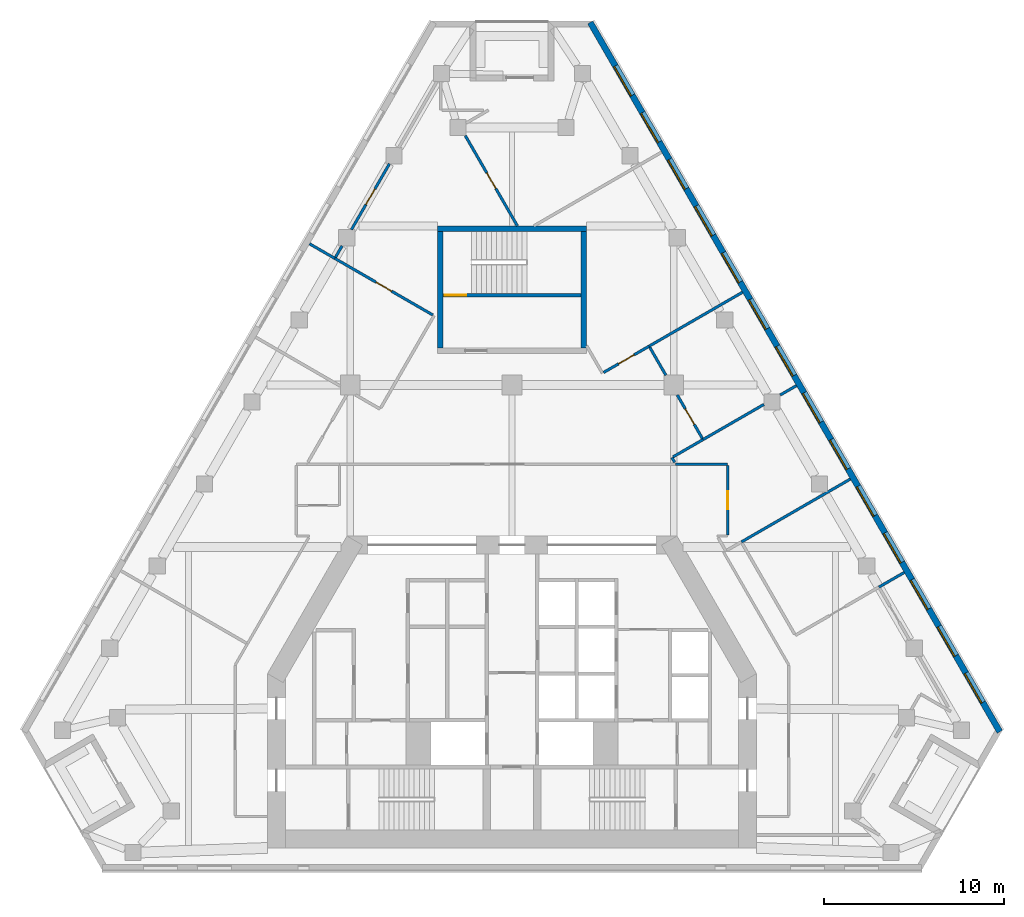
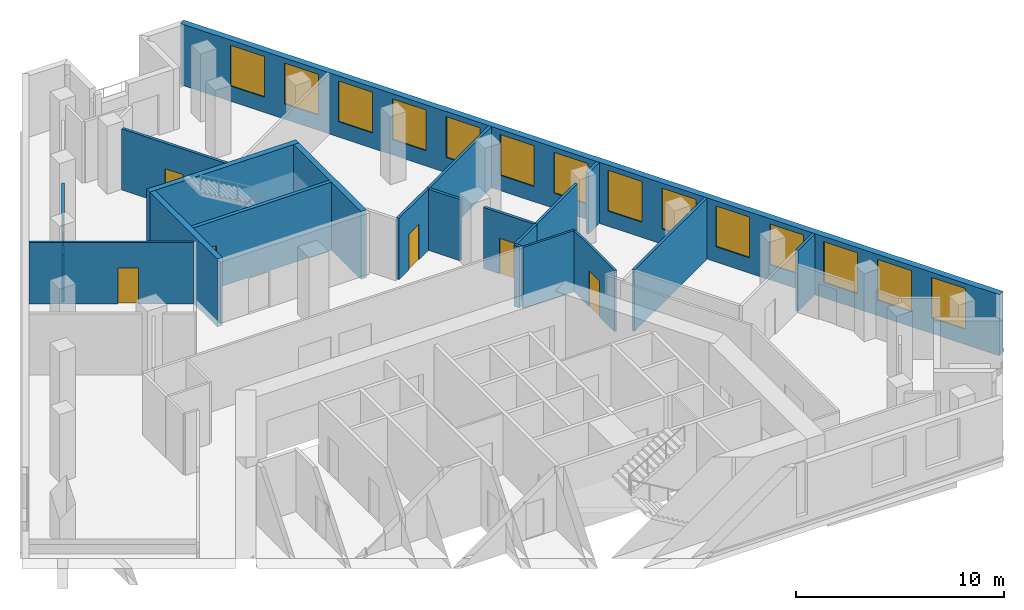
# One storey, part 7 of 9: 22 walls, 14 windows, 7 doors, 21 openings.
"""IFC4 building model written with IfcOpenShell, lengths in metres."""

from ifc_helpers import new_model, si_unit, direction, frame, frame_2d, origin, place, context, subcontext, project, spatial, rectangle, extrude, material, layer, layer_set, type_object, element, fill, save


model = new_model("IFC4")

# Units and contexts
model_context = context("Model", 3, precision=1e-05, world=origin(), true_north=direction((0.0, 1.0)))
body_context = subcontext(model_context, "Body", "Model", "MODEL_VIEW")
ifc_project = project(units=[si_unit("LENGTHUNIT", "METRE"), si_unit("AREAUNIT", "SQUARE_METRE"), si_unit("VOLUMEUNIT", "CUBIC_METRE"), si_unit("PLANEANGLEUNIT", "RADIAN"), si_unit("MASSUNIT", "GRAM", prefix="KILO")], contexts=[model_context])

# Site, building, storey
site_placement = place(None, origin())
site = spatial("IfcSite", under=ifc_project, at=site_placement, CompositionType="ELEMENT")
building_placement = place(site_placement, origin())
building = spatial("IfcBuilding", under=site, at=building_placement, Name="Fogline Exchange Tower", CompositionType="ELEMENT")
storey_placement = place(building_placement, frame((0.0, 0.0, 214.10009765625)))
storey = spatial("IfcBuildingStorey", under=building, at=storey_placement, Name="L48", CompositionType="ELEMENT", Elevation=214.10009765625)

# Wall, opening, door
ifc_material_1 = material(Name="Concrete C40", Category="concrete")
ifc_layer_1 = layer(ifc_material_1, 0.199951171875)
ifc_layer_set_1 = layer_set([ifc_layer_1], Name="CW20R")
wall_type_1 = type_object("IfcWallType", Name="CW20R", PredefinedType="SOLIDWALL", material=ifc_layer_set_1)
wall_1_placement = place(storey_placement, frame((-3.85009765625, 32.007080078125, -0.400146484375), z_axis=(0.0, 0.0, 1.0), x_axis=(1.0, 0.0, 0.0)))
wall_1 = element("IfcWall", 1, at=wall_1_placement, inside=storey, type_object=wall_type_1, Name="Stair enclosure wall ST3", PredefinedType="SOLIDWALL", context=body_context, shape_type="SweptSolid", body=[
    extrude(rectangle(XDim=7.7001953125, YDim=0.199951171875, at=frame_2d((3.85009765625, 0.0))), origin(), (0.0, 0.0, 1.0), 4.0),
])
opening_1_placement = place(wall_1_placement, frame((0.10009765625, 0.0, 0.39990234375)))
opening_1 = element("IfcOpeningElement", 2, at=opening_1_placement, cuts=wall_1, Name="Opening T15-C024", PredefinedType="OPENING", context=body_context, shape_type="SweptSolid", body=[
    extrude(rectangle(XDim=1.199951171875, YDim=2.10009765625, at=frame_2d((0.60009765625, 1.050048828125))), frame((0.0, 0.10986328125, 0.0), z_axis=(0.0, -1.0, 0.0), x_axis=(1.0, 0.0, 0.0)), (0.0, 0.0, 1.0), 0.219970703125),
])
ifc_material_2 = material(Name="Steel and timber fire door", Category="steel")
door_type_1 = type_object("IfcDoorType", Name="D-ST1", OperationType="SINGLE_SWING_LEFT", PredefinedType="DOOR", material=ifc_material_2)
door_1_placement = place(opening_1_placement, origin())
door_1 = element("IfcDoor", 3, at=door_1_placement, inside=storey, type_object=door_type_1, Name="Stair door ST3", OperationType="SINGLE_SWING_LEFT", OverallHeight=2.10009765625, OverallWidth=1.199951171875, PredefinedType="DOOR", context=body_context, shape_type="SweptSolid", body=[
    extrude(rectangle(XDim=1.199951171875, YDim=2.10009765625, at=frame_2d((0.60009765625, 1.050048828125))), frame((0.0, 0.02490234375, 0.0), z_axis=(0.0, -1.0, 0.0), x_axis=(1.0, 0.0, 0.0)), (0.0, 0.0, 1.0), 0.050048828125),
])
fill(opening_1, door_1)

# Walls
ifc_layer_2 = layer(ifc_material_1, 0.300048828125)
ifc_layer_set_2 = layer_set([ifc_layer_2], Name="CW30")
wall_type_2 = type_object("IfcWallType", Name="CW30", PredefinedType="SOLIDWALL", material=ifc_layer_set_2)
wall_2_placement = place(storey_placement, frame((-4.14990234375, 35.70703125, -0.400146484375), z_axis=(0.0, 0.0, 1.0), x_axis=(1.0, 0.0, 0.0)))
element("IfcWall", 4, at=wall_2_placement, inside=storey, type_object=wall_type_2, Name="Stair enclosure wall ST3", PredefinedType="SOLIDWALL", context=body_context, shape_type="SweptSolid", body=[
    extrude(rectangle(XDim=8.2998046875, YDim=0.300048828125, at=frame_2d((4.14990234375, 0.0))), origin(), (0.0, 0.0, 1.0), 4.0),
])
for number, where, z_axis, x_axis, name in (
    (5, (-4.0, 29.056884765625, -0.400146484375), (0.0, 0.0, 1.0), (0.0, 1.0, 0.0), "Stair enclosure wall ST3"),
    (6, (4.0, 29.056884765625, -0.400146484375), (0.0, 0.0, 1.0), (0.0, 1.0, 0.0), "Stair enclosure wall ST3"),
):
    element("IfcWall", number, at=place(storey_placement, frame(where, z_axis=z_axis, x_axis=x_axis)), inside=storey, type_object=wall_type_2, Name=name, PredefinedType="SOLIDWALL", context=body_context, shape_type="SweptSolid", body=[
        extrude(rectangle(XDim=6.5, YDim=0.300048828125, at=frame_2d((3.25, 0.0))), origin(), (0.0, 0.0, 1.0), 4.0),
    ])

# Wall, openings, windows
ifc_material_3 = material(Name="Brick masonry", Category="masonry")
ifc_layer_3 = layer(ifc_material_3, 0.340087890625)
ifc_layer_set_3 = layer_set([ifc_layer_3], Name="FW1")
wall_type_3 = type_object("IfcWallType", Name="FW1", PredefinedType="SOLIDWALL", material=ifc_layer_set_3)
wall_3_placement = place(storey_placement, frame((27.139404296875, 7.709228515625, 0.0), z_axis=(0.0, 0.0, 1.0), x_axis=(-0.500000533701, 0.866025095652, 0.0)))
wall_3 = element("IfcWall", 7, at=wall_3_placement, inside=storey, type_object=wall_type_3, Name="Brick wall L48 E", PredefinedType="SOLIDWALL", context=body_context, shape_type="SweptSolid", body=[
    extrude(rectangle(XDim=45.5732421875, YDim=0.340087890625, at=frame_2d((22.78662109375, 0.0))), origin(), (0.0, 0.0, 1.0), 3.599853515625),
])
opening_2_placement = place(wall_3_placement, frame((1.893310546875, 0.0, 0.89990234375)))
opening_2 = element("IfcOpeningElement", 8, at=opening_2_placement, cuts=wall_3, Name="Opening W1", PredefinedType="OPENING", context=body_context, shape_type="SweptSolid", body=[
    extrude(rectangle(XDim=1.885009765625, YDim=2.39990234375, at=frame_2d((0.9423828125, 1.199951171875))), frame((0.0, 0.18017578125, 0.0), z_axis=(0.0, -1.0, 0.0), x_axis=(1.0, 0.0, 0.0)), (0.0, 0.0, 1.0), 0.360107421875),
])
opening_3_placement = place(wall_3_placement, frame((4.893310546875, 0.0, 0.89990234375)))
opening_3 = element("IfcOpeningElement", 9, at=opening_3_placement, cuts=wall_3, Name="Opening W1", PredefinedType="OPENING", context=body_context, shape_type="SweptSolid", body=[
    extrude(rectangle(XDim=1.885009765625, YDim=2.39990234375, at=frame_2d((0.9423828125, 1.199951171875))), frame((0.0, 0.18017578125, 0.0), z_axis=(0.0, -1.0, 0.0), x_axis=(1.0, 0.0, 0.0)), (0.0, 0.0, 1.0), 0.360107421875),
])
opening_4_placement = place(wall_3_placement, frame((7.893310546875, 0.0, 0.89990234375)))
opening_4 = element("IfcOpeningElement", 10, at=opening_4_placement, cuts=wall_3, Name="Opening W1", PredefinedType="OPENING", context=body_context, shape_type="SweptSolid", body=[
    extrude(rectangle(XDim=1.885009765625, YDim=2.39990234375, at=frame_2d((0.9423828125, 1.199951171875))), frame((0.0, 0.18017578125, 0.0), z_axis=(0.0, -1.0, 0.0), x_axis=(1.0, 0.0, 0.0)), (0.0, 0.0, 1.0), 0.360107421875),
])
opening_5_placement = place(wall_3_placement, frame((10.893310546875, 0.0, 0.89990234375)))
opening_5 = element("IfcOpeningElement", 11, at=opening_5_placement, cuts=wall_3, Name="Opening W1", PredefinedType="OPENING", context=body_context, shape_type="SweptSolid", body=[
    extrude(rectangle(XDim=1.885009765625, YDim=2.39990234375, at=frame_2d((0.9423828125, 1.199951171875))), frame((0.0, 0.18017578125, 0.0), z_axis=(0.0, -1.0, 0.0), x_axis=(1.0, 0.0, 0.0)), (0.0, 0.0, 1.0), 0.360107421875),
])
opening_6_placement = place(wall_3_placement, frame((13.893310546875, 0.0, 0.89990234375)))
opening_6 = element("IfcOpeningElement", 12, at=opening_6_placement, cuts=wall_3, Name="Opening W1", PredefinedType="OPENING", context=body_context, shape_type="SweptSolid", body=[
    extrude(rectangle(XDim=1.885009765625, YDim=2.39990234375, at=frame_2d((0.9423828125, 1.199951171875))), frame((0.0, 0.18017578125, 0.0), z_axis=(0.0, -1.0, 0.0), x_axis=(1.0, 0.0, 0.0)), (0.0, 0.0, 1.0), 0.360107421875),
])
opening_7_placement = place(wall_3_placement, frame((16.893310546875, 0.0, 0.89990234375)))
opening_7 = element("IfcOpeningElement", 13, at=opening_7_placement, cuts=wall_3, Name="Opening W1", PredefinedType="OPENING", context=body_context, shape_type="SweptSolid", body=[
    extrude(rectangle(XDim=1.885009765625, YDim=2.39990234375, at=frame_2d((0.9423828125, 1.199951171875))), frame((0.0, 0.18017578125, 0.0), z_axis=(0.0, -1.0, 0.0), x_axis=(1.0, 0.0, 0.0)), (0.0, 0.0, 1.0), 0.360107421875),
])
opening_8_placement = place(wall_3_placement, frame((19.893310546875, 0.0, 0.89990234375)))
opening_8 = element("IfcOpeningElement", 14, at=opening_8_placement, cuts=wall_3, Name="Opening W1", PredefinedType="OPENING", context=body_context, shape_type="SweptSolid", body=[
    extrude(rectangle(XDim=1.885009765625, YDim=2.39990234375, at=frame_2d((0.9423828125, 1.199951171875))), frame((0.0, 0.18017578125, 0.0), z_axis=(0.0, -1.0, 0.0), x_axis=(1.0, 0.0, 0.0)), (0.0, 0.0, 1.0), 0.360107421875),
])
opening_9_placement = place(wall_3_placement, frame((22.893310546875, 0.0, 0.89990234375)))
opening_9 = element("IfcOpeningElement", 15, at=opening_9_placement, cuts=wall_3, Name="Opening W1", PredefinedType="OPENING", context=body_context, shape_type="SweptSolid", body=[
    extrude(rectangle(XDim=1.885009765625, YDim=2.39990234375, at=frame_2d((0.9423828125, 1.199951171875))), frame((0.0, 0.18017578125, 0.0), z_axis=(0.0, -1.0, 0.0), x_axis=(1.0, 0.0, 0.0)), (0.0, 0.0, 1.0), 0.360107421875),
])
opening_10_placement = place(wall_3_placement, frame((25.893310546875, 0.0, 0.89990234375)))
opening_10 = element("IfcOpeningElement", 16, at=opening_10_placement, cuts=wall_3, Name="Opening W1", PredefinedType="OPENING", context=body_context, shape_type="SweptSolid", body=[
    extrude(rectangle(XDim=1.885009765625, YDim=2.39990234375, at=frame_2d((0.9423828125, 1.199951171875))), frame((0.0, 0.18017578125, 0.0), z_axis=(0.0, -1.0, 0.0), x_axis=(1.0, 0.0, 0.0)), (0.0, 0.0, 1.0), 0.360107421875),
])
opening_11_placement = place(wall_3_placement, frame((28.893310546875, 0.0, 0.89990234375)))
opening_11 = element("IfcOpeningElement", 17, at=opening_11_placement, cuts=wall_3, Name="Opening W1", PredefinedType="OPENING", context=body_context, shape_type="SweptSolid", body=[
    extrude(rectangle(XDim=1.885009765625, YDim=2.39990234375, at=frame_2d((0.9423828125, 1.199951171875))), frame((0.0, 0.18017578125, 0.0), z_axis=(0.0, -1.0, 0.0), x_axis=(1.0, 0.0, 0.0)), (0.0, 0.0, 1.0), 0.360107421875),
])
opening_12_placement = place(wall_3_placement, frame((31.893310546875, 0.0, 0.89990234375)))
opening_12 = element("IfcOpeningElement", 18, at=opening_12_placement, cuts=wall_3, Name="Opening W1", PredefinedType="OPENING", context=body_context, shape_type="SweptSolid", body=[
    extrude(rectangle(XDim=1.885009765625, YDim=2.39990234375, at=frame_2d((0.9423828125, 1.199951171875))), frame((0.0, 0.18017578125, 0.0), z_axis=(0.0, -1.0, 0.0), x_axis=(1.0, 0.0, 0.0)), (0.0, 0.0, 1.0), 0.360107421875),
])
opening_13_placement = place(wall_3_placement, frame((34.893310546875, 0.0, 0.89990234375)))
opening_13 = element("IfcOpeningElement", 19, at=opening_13_placement, cuts=wall_3, Name="Opening W1", PredefinedType="OPENING", context=body_context, shape_type="SweptSolid", body=[
    extrude(rectangle(XDim=1.885009765625, YDim=2.39990234375, at=frame_2d((0.9423828125, 1.199951171875))), frame((0.0, 0.18017578125, 0.0), z_axis=(0.0, -1.0, 0.0), x_axis=(1.0, 0.0, 0.0)), (0.0, 0.0, 1.0), 0.360107421875),
])
opening_14_placement = place(wall_3_placement, frame((37.893310546875, 0.0, 0.89990234375)))
opening_14 = element("IfcOpeningElement", 20, at=opening_14_placement, cuts=wall_3, Name="Opening W1", PredefinedType="OPENING", context=body_context, shape_type="SweptSolid", body=[
    extrude(rectangle(XDim=1.885009765625, YDim=2.39990234375, at=frame_2d((0.9423828125, 1.199951171875))), frame((0.0, 0.18017578125, 0.0), z_axis=(0.0, -1.0, 0.0), x_axis=(1.0, 0.0, 0.0)), (0.0, 0.0, 1.0), 0.360107421875),
])
opening_15_placement = place(wall_3_placement, frame((40.893310546875, 0.0, 0.89990234375)))
opening_15 = element("IfcOpeningElement", 21, at=opening_15_placement, cuts=wall_3, Name="Opening W1", PredefinedType="OPENING", context=body_context, shape_type="SweptSolid", body=[
    extrude(rectangle(XDim=1.885009765625, YDim=2.39990234375, at=frame_2d((0.9423828125, 1.199951171875))), frame((0.0, 0.18017578125, 0.0), z_axis=(0.0, -1.0, 0.0), x_axis=(1.0, 0.0, 0.0)), (0.0, 0.0, 1.0), 0.360107421875),
])
ifc_material_4 = material(Name="Aluminium and glass", Category="aluminium")
window_type = type_object("IfcWindowType", Name="W1", PartitioningType="SINGLE_PANEL", PredefinedType="WINDOW", material=ifc_material_4)
window_1_placement = place(opening_2_placement, origin())
window_1 = element("IfcWindow", 22, at=window_1_placement, inside=storey, type_object=window_type, Name="W1 W1", OverallHeight=2.39990234375, OverallWidth=1.885009765625, PartitioningType="SINGLE_PANEL", PredefinedType="WINDOW", context=body_context, shape_type="SweptSolid", body=[
    extrude(rectangle(XDim=1.885009765625, YDim=2.39990234375, at=frame_2d((0.9423828125, 1.199951171875))), frame((0.0, 0.110107421875, 0.0), z_axis=(0.0, -1.0, 0.0), x_axis=(1.0, 0.0, 0.0)), (0.0, 0.0, 1.0), 0.06005859375),
])
fill(opening_2, window_1)
window_2_placement = place(opening_3_placement, origin())
window_2 = element("IfcWindow", 23, at=window_2_placement, inside=storey, type_object=window_type, Name="W1 W1", OverallHeight=2.39990234375, OverallWidth=1.885009765625, PartitioningType="SINGLE_PANEL", PredefinedType="WINDOW", context=body_context, shape_type="SweptSolid", body=[
    extrude(rectangle(XDim=1.885009765625, YDim=2.39990234375, at=frame_2d((0.9423828125, 1.199951171875))), frame((0.0, 0.110107421875, 0.0), z_axis=(0.0, -1.0, 0.0), x_axis=(1.0, 0.0, 0.0)), (0.0, 0.0, 1.0), 0.06005859375),
])
fill(opening_3, window_2)
window_3_placement = place(opening_4_placement, origin())
window_3 = element("IfcWindow", 24, at=window_3_placement, inside=storey, type_object=window_type, Name="W1 W1", OverallHeight=2.39990234375, OverallWidth=1.885009765625, PartitioningType="SINGLE_PANEL", PredefinedType="WINDOW", context=body_context, shape_type="SweptSolid", body=[
    extrude(rectangle(XDim=1.885009765625, YDim=2.39990234375, at=frame_2d((0.9423828125, 1.199951171875))), frame((0.0, 0.110107421875, 0.0), z_axis=(0.0, -1.0, 0.0), x_axis=(1.0, 0.0, 0.0)), (0.0, 0.0, 1.0), 0.06005859375),
])
fill(opening_4, window_3)
window_4_placement = place(opening_5_placement, origin())
window_4 = element("IfcWindow", 25, at=window_4_placement, inside=storey, type_object=window_type, Name="W1 W1", OverallHeight=2.39990234375, OverallWidth=1.885009765625, PartitioningType="SINGLE_PANEL", PredefinedType="WINDOW", context=body_context, shape_type="SweptSolid", body=[
    extrude(rectangle(XDim=1.885009765625, YDim=2.39990234375, at=frame_2d((0.9423828125, 1.199951171875))), frame((0.0, 0.110107421875, 0.0), z_axis=(0.0, -1.0, 0.0), x_axis=(1.0, 0.0, 0.0)), (0.0, 0.0, 1.0), 0.06005859375),
])
fill(opening_5, window_4)
window_5_placement = place(opening_6_placement, origin())
window_5 = element("IfcWindow", 26, at=window_5_placement, inside=storey, type_object=window_type, Name="W1 W1", OverallHeight=2.39990234375, OverallWidth=1.885009765625, PartitioningType="SINGLE_PANEL", PredefinedType="WINDOW", context=body_context, shape_type="SweptSolid", body=[
    extrude(rectangle(XDim=1.885009765625, YDim=2.39990234375, at=frame_2d((0.9423828125, 1.199951171875))), frame((0.0, 0.110107421875, 0.0), z_axis=(0.0, -1.0, 0.0), x_axis=(1.0, 0.0, 0.0)), (0.0, 0.0, 1.0), 0.06005859375),
])
fill(opening_6, window_5)
window_6_placement = place(opening_7_placement, origin())
window_6 = element("IfcWindow", 27, at=window_6_placement, inside=storey, type_object=window_type, Name="W1 W1", OverallHeight=2.39990234375, OverallWidth=1.885009765625, PartitioningType="SINGLE_PANEL", PredefinedType="WINDOW", context=body_context, shape_type="SweptSolid", body=[
    extrude(rectangle(XDim=1.885009765625, YDim=2.39990234375, at=frame_2d((0.9423828125, 1.199951171875))), frame((0.0, 0.110107421875, 0.0), z_axis=(0.0, -1.0, 0.0), x_axis=(1.0, 0.0, 0.0)), (0.0, 0.0, 1.0), 0.06005859375),
])
fill(opening_7, window_6)
window_7_placement = place(opening_8_placement, origin())
window_7 = element("IfcWindow", 28, at=window_7_placement, inside=storey, type_object=window_type, Name="W1 W1", OverallHeight=2.39990234375, OverallWidth=1.885009765625, PartitioningType="SINGLE_PANEL", PredefinedType="WINDOW", context=body_context, shape_type="SweptSolid", body=[
    extrude(rectangle(XDim=1.885009765625, YDim=2.39990234375, at=frame_2d((0.9423828125, 1.199951171875))), frame((0.0, 0.110107421875, 0.0), z_axis=(0.0, -1.0, 0.0), x_axis=(1.0, 0.0, 0.0)), (0.0, 0.0, 1.0), 0.06005859375),
])
fill(opening_8, window_7)
window_8_placement = place(opening_9_placement, origin())
window_8 = element("IfcWindow", 29, at=window_8_placement, inside=storey, type_object=window_type, Name="W1 W1", OverallHeight=2.39990234375, OverallWidth=1.885009765625, PartitioningType="SINGLE_PANEL", PredefinedType="WINDOW", context=body_context, shape_type="SweptSolid", body=[
    extrude(rectangle(XDim=1.885009765625, YDim=2.39990234375, at=frame_2d((0.9423828125, 1.199951171875))), frame((0.0, 0.110107421875, 0.0), z_axis=(0.0, -1.0, 0.0), x_axis=(1.0, 0.0, 0.0)), (0.0, 0.0, 1.0), 0.06005859375),
])
fill(opening_9, window_8)
window_9_placement = place(opening_10_placement, origin())
window_9 = element("IfcWindow", 30, at=window_9_placement, inside=storey, type_object=window_type, Name="W1 W1", OverallHeight=2.39990234375, OverallWidth=1.885009765625, PartitioningType="SINGLE_PANEL", PredefinedType="WINDOW", context=body_context, shape_type="SweptSolid", body=[
    extrude(rectangle(XDim=1.885009765625, YDim=2.39990234375, at=frame_2d((0.9423828125, 1.199951171875))), frame((0.0, 0.110107421875, 0.0), z_axis=(0.0, -1.0, 0.0), x_axis=(1.0, 0.0, 0.0)), (0.0, 0.0, 1.0), 0.06005859375),
])
fill(opening_10, window_9)
window_10_placement = place(opening_11_placement, origin())
window_10 = element("IfcWindow", 31, at=window_10_placement, inside=storey, type_object=window_type, Name="W1 W1", OverallHeight=2.39990234375, OverallWidth=1.885009765625, PartitioningType="SINGLE_PANEL", PredefinedType="WINDOW", context=body_context, shape_type="SweptSolid", body=[
    extrude(rectangle(XDim=1.885009765625, YDim=2.39990234375, at=frame_2d((0.9423828125, 1.199951171875))), frame((0.0, 0.110107421875, 0.0), z_axis=(0.0, -1.0, 0.0), x_axis=(1.0, 0.0, 0.0)), (0.0, 0.0, 1.0), 0.06005859375),
])
fill(opening_11, window_10)
window_11_placement = place(opening_12_placement, origin())
window_11 = element("IfcWindow", 32, at=window_11_placement, inside=storey, type_object=window_type, Name="W1 W1", OverallHeight=2.39990234375, OverallWidth=1.885009765625, PartitioningType="SINGLE_PANEL", PredefinedType="WINDOW", context=body_context, shape_type="SweptSolid", body=[
    extrude(rectangle(XDim=1.885009765625, YDim=2.39990234375, at=frame_2d((0.9423828125, 1.199951171875))), frame((0.0, 0.110107421875, 0.0), z_axis=(0.0, -1.0, 0.0), x_axis=(1.0, 0.0, 0.0)), (0.0, 0.0, 1.0), 0.06005859375),
])
fill(opening_12, window_11)
window_12_placement = place(opening_13_placement, origin())
window_12 = element("IfcWindow", 33, at=window_12_placement, inside=storey, type_object=window_type, Name="W1 W1", OverallHeight=2.39990234375, OverallWidth=1.885009765625, PartitioningType="SINGLE_PANEL", PredefinedType="WINDOW", context=body_context, shape_type="SweptSolid", body=[
    extrude(rectangle(XDim=1.885009765625, YDim=2.39990234375, at=frame_2d((0.9423828125, 1.199951171875))), frame((0.0, 0.110107421875, 0.0), z_axis=(0.0, -1.0, 0.0), x_axis=(1.0, 0.0, 0.0)), (0.0, 0.0, 1.0), 0.06005859375),
])
fill(opening_13, window_12)
window_13_placement = place(opening_14_placement, origin())
window_13 = element("IfcWindow", 34, at=window_13_placement, inside=storey, type_object=window_type, Name="W1 W1", OverallHeight=2.39990234375, OverallWidth=1.885009765625, PartitioningType="SINGLE_PANEL", PredefinedType="WINDOW", context=body_context, shape_type="SweptSolid", body=[
    extrude(rectangle(XDim=1.885009765625, YDim=2.39990234375, at=frame_2d((0.9423828125, 1.199951171875))), frame((0.0, 0.110107421875, 0.0), z_axis=(0.0, -1.0, 0.0), x_axis=(1.0, 0.0, 0.0)), (0.0, 0.0, 1.0), 0.06005859375),
])
fill(opening_14, window_13)
window_14_placement = place(opening_15_placement, origin())
window_14 = element("IfcWindow", 35, at=window_14_placement, inside=storey, type_object=window_type, Name="W1 W1", OverallHeight=2.39990234375, OverallWidth=1.885009765625, PartitioningType="SINGLE_PANEL", PredefinedType="WINDOW", context=body_context, shape_type="SweptSolid", body=[
    extrude(rectangle(XDim=1.885009765625, YDim=2.39990234375, at=frame_2d((0.9423828125, 1.199951171875))), frame((0.0, 0.110107421875, 0.0), z_axis=(0.0, -1.0, 0.0), x_axis=(1.0, 0.0, 0.0)), (0.0, 0.0, 1.0), 0.06005859375),
])
fill(opening_15, window_14)

# Wall
ifc_material_5 = material(Name="Plasterboard corridor partition with mineral wool, 2 layers each side")
ifc_layer_4 = layer(ifc_material_5, 0.125)
ifc_layer_set_4 = layer_set([ifc_layer_4], Name="PW2")
wall_type_4 = type_object("IfcWallType", Name="PW2", PredefinedType="PARTITIONING", material=ifc_layer_set_4)
wall_4_placement = place(storey_placement, frame((9.108154296875, 22.60009765625, 0.0), z_axis=(0.0, 0.0, 1.0), x_axis=(1.0, 0.0, 0.0)))
element("IfcWall", 36, at=wall_4_placement, inside=storey, type_object=wall_type_4, Name="wall-L48-W004", PredefinedType="PARTITIONING", context=body_context, shape_type="SweptSolid", body=[
    extrude(rectangle(XDim=2.891845703125, YDim=0.125, at=frame_2d((1.44580078125, 0.0))), origin(), (0.0, 0.0, 1.0), 3.599853515625),
])

# Wall, opening, door
wall_5_placement = place(storey_placement, frame((12.0, 22.53759765625, 0.0), z_axis=(0.0, 0.0, 1.0), x_axis=(0.0, -1.0, 0.0)))
wall_5 = element("IfcWall", 37, at=wall_5_placement, inside=storey, type_object=wall_type_4, Name="wall-L48-W005", PredefinedType="PARTITIONING", context=body_context, shape_type="SweptSolid", body=[
    extrude(rectangle(XDim=3.875, YDim=0.125, at=frame_2d((1.9375, 0.0))), origin(), (0.0, 0.0, 1.0), 3.599853515625),
])
opening_16_placement = place(wall_5_placement, frame((1.4375, 0.0, 0.0)))
opening_16 = element("IfcOpeningElement", 38, at=opening_16_placement, cuts=wall_5, Name="Opening T15-D002", PredefinedType="OPENING", context=body_context, shape_type="SweptSolid", body=[
    extrude(rectangle(XDim=1.0, YDim=2.10009765625, at=frame_2d((0.5, 1.050048828125))), frame((0.0, 0.072509765625, 0.0), z_axis=(0.0, -1.0, 0.0), x_axis=(1.0, 0.0, 0.0)), (0.0, 0.0, 1.0), 0.14501953125),
])
ifc_material_6 = material(Name="Fire-rated timber door leaf with steel frame", Category="steel")
door_type_2 = type_object("IfcDoorType", Name="D3", OperationType="SINGLE_SWING_LEFT", PredefinedType="DOOR", material=ifc_material_6)
door_2_placement = place(opening_16_placement, origin())
door_2 = element("IfcDoor", 39, at=door_2_placement, inside=storey, type_object=door_type_2, Name="door-L48-D002", OperationType="SINGLE_SWING_LEFT", OverallHeight=2.10009765625, OverallWidth=1.0, PredefinedType="DOOR", context=body_context, shape_type="SweptSolid", body=[
    extrude(rectangle(XDim=1.0, YDim=2.10009765625, at=frame_2d((0.5, 1.050048828125))), frame((0.0, 0.02490234375, 0.0), z_axis=(0.0, -1.0, 0.0), x_axis=(1.0, 0.0, 0.0)), (0.0, 0.0, 1.0), 0.050048828125),
])
fill(opening_16, door_2)

# Walls
ifc_material_7 = material(Name="Plasterboard demising partition with mineral wool and acoustic board")
ifc_layer_5 = layer(ifc_material_7, 0.14990234375)
ifc_layer_set_5 = layer_set([ifc_layer_5], Name="PW3")
wall_type_5 = type_object("IfcWallType", Name="PW3", PredefinedType="PARTITIONING", material=ifc_layer_set_5)
wall_6_placement = place(storey_placement, frame((10.6279296875, 23.967529296875, 0.0), z_axis=(0.0, 0.0, 1.0), x_axis=(0.866020486807, 0.500008516358, 0.0)))
element("IfcWall", 40, at=wall_6_placement, inside=storey, type_object=wall_type_5, Name="wall-L48-W016", PredefinedType="PARTITIONING", context=body_context, shape_type="SweptSolid", body=[
    extrude(rectangle(XDim=3.91552734375, YDim=0.14990234375, at=frame_2d((1.957763671875, 0.0))), origin(), (0.0, 0.0, 1.0), 3.599853515625),
])
wall_7_placement = place(storey_placement, frame((14.918701171875, 26.44482421875, 0.0), z_axis=(0.0, 0.0, 1.0), x_axis=(0.866065051207, 0.49993132236, 0.0)))
element("IfcWall", 41, at=wall_7_placement, inside=storey, type_object=wall_type_5, Name="wall-L48-W017", PredefinedType="PARTITIONING", context=body_context, shape_type="SweptSolid", body=[
    extrude(rectangle(XDim=1.045654296875, YDim=0.14990234375, at=frame_2d((0.52294921875, 0.0))), origin(), (0.0, 0.0, 1.0), 3.599853515625),
])
wall_8_placement = place(storey_placement, frame((9.05029296875, 22.700439453125, 0.0), z_axis=(0.0, 0.0, 1.0), x_axis=(-0.500224850148, 0.865895547566, 0.0)))
element("IfcWall", 42, at=wall_8_placement, inside=storey, type_object=wall_type_5, Name="wall-L48-W018", PredefinedType="PARTITIONING", context=body_context, shape_type="SweptSolid", body=[
    extrude(rectangle(XDim=0.308349609375, YDim=0.14990234375, at=frame_2d((0.154296875, 0.0))), origin(), (0.0, 0.0, 1.0), 3.599853515625),
])
wall_9_placement = place(storey_placement, frame((8.9609375, 23.005126953125, 0.0), z_axis=(0.0, 0.0, 1.0), x_axis=(0.866033512162, 0.499985955615, 0.0)))
element("IfcWall", 43, at=wall_9_placement, inside=storey, type_object=wall_type_5, Name="wall-L48-W019", PredefinedType="PARTITIONING", context=body_context, shape_type="SweptSolid", body=[
    extrude(rectangle(XDim=1.9248046875, YDim=0.14990234375, at=frame_2d((0.96240234375, 0.0))), origin(), (0.0, 0.0, 1.0), 3.599853515625),
])
wall_10_placement = place(storey_placement, frame((18.82421875, 21.771484375, 0.0), z_axis=(0.0, 0.0, 1.0), x_axis=(-0.866028190633, -0.499995173006, 0.0)))
element("IfcWall", 44, at=wall_10_placement, inside=storey, type_object=wall_type_5, Name="wall-L48-W022", PredefinedType="PARTITIONING", context=body_context, shape_type="SweptSolid", body=[
    extrude(rectangle(XDim=7.0, YDim=0.14990234375, at=frame_2d((3.5, 0.0))), origin(), (0.0, 0.0, 1.0), 3.599853515625),
])
wall_11_placement = place(storey_placement, frame((7.6279296875, 29.163818359375, 0.0), z_axis=(0.0, 0.0, 1.0), x_axis=(0.866031096941, 0.499990139034, 0.0)))
element("IfcWall", 45, at=wall_11_placement, inside=storey, type_object=wall_type_5, Name="wall-L48-W023", PredefinedType="PARTITIONING", context=body_context, shape_type="SweptSolid", body=[
    extrude(rectangle(XDim=6.0, YDim=0.14990234375, at=frame_2d((3.0, 0.0))), origin(), (0.0, 0.0, 1.0), 3.599853515625),
])

# Wall, opening, door
wall_12_placement = place(storey_placement, frame((10.590576171875, 24.03271484375, 0.0), z_axis=(0.0, 0.0, 1.0), x_axis=(-0.500042966044, 0.866000595906, 0.0)))
wall_12 = element("IfcWall", 46, at=wall_12_placement, inside=storey, type_object=wall_type_5, Name="wall-L48-W024", PredefinedType="PARTITIONING", context=body_context, shape_type="SweptSolid", body=[
    extrude(rectangle(XDim=2.791259765625, YDim=0.14990234375, at=frame_2d((1.3955078125, 0.0))), origin(), (0.0, 0.0, 1.0), 3.599853515625),
])
opening_17_placement = place(wall_12_placement, frame((0.895751953125, 0.0, 0.0)))
opening_17 = element("IfcOpeningElement", 47, at=opening_17_placement, cuts=wall_12, Name="Opening T15-D007", PredefinedType="OPENING", context=body_context, shape_type="SweptSolid", body=[
    extrude(rectangle(XDim=1.0, YDim=2.10009765625, at=frame_2d((0.5, 1.050048828125))), frame((0.0, 0.0849609375, 0.0), z_axis=(0.0, -1.0, 0.0), x_axis=(1.0, 0.0, 0.0)), (0.0, 0.0, 1.0), 0.169921875),
])
door_3_placement = place(opening_17_placement, frame((1.0, 0.0, 0.0), z_axis=(0.0, 0.0, 1.0), x_axis=(-1.0, 0.0, 0.0)))
door_3 = element("IfcDoor", 48, at=door_3_placement, inside=storey, type_object=door_type_2, Name="door-L48-D007", OperationType="SINGLE_SWING_RIGHT", OverallHeight=2.10009765625, OverallWidth=1.0, PredefinedType="DOOR", context=body_context, shape_type="SweptSolid", body=[
    extrude(rectangle(XDim=1.0, YDim=2.10009765625, at=frame_2d((0.5, 1.050048828125))), frame((0.0, 0.02490234375, 0.0), z_axis=(0.0, -1.0, 0.0), x_axis=(1.0, 0.0, 0.0)), (0.0, 0.0, 1.0), 0.050048828125),
])
fill(opening_17, door_3)

# Wall
wall_13_placement = place(storey_placement, frame((8.559814453125, 27.550048828125, 0.0), z_axis=(0.0, 0.0, 1.0), x_axis=(-0.500088797182, 0.865974130637, 0.0)))
element("IfcWall", 49, at=wall_13_placement, inside=storey, type_object=wall_type_5, Name="wall-L48-W025", PredefinedType="PARTITIONING", context=body_context, shape_type="SweptSolid", body=[
    extrude(rectangle(XDim=1.788330078125, YDim=0.14990234375, at=frame_2d((0.89404296875, 0.0))), origin(), (0.0, 0.0, 1.0), 3.599853515625),
])

# Wall, opening, door
wall_14_placement = place(storey_placement, frame((7.6279296875, 29.163818359375, 0.0), z_axis=(0.0, 0.0, 1.0), x_axis=(-0.865989585315, -0.500062034277, 0.0)))
wall_14 = element("IfcWall", 50, at=wall_14_placement, inside=storey, type_object=wall_type_5, Name="wall-L48-W027", PredefinedType="PARTITIONING", context=body_context, shape_type="SweptSolid", body=[
    extrude(rectangle(XDim=2.925048828125, YDim=0.14990234375, at=frame_2d((1.46240234375, 0.0))), origin(), (0.0, 0.0, 1.0), 3.599853515625),
])
opening_18_placement = place(wall_14_placement, frame((0.96240234375, 0.0, 0.0)))
opening_18 = element("IfcOpeningElement", 51, at=opening_18_placement, cuts=wall_14, Name="Opening T15-D008", PredefinedType="OPENING", context=body_context, shape_type="SweptSolid", body=[
    extrude(rectangle(XDim=1.0, YDim=2.10009765625, at=frame_2d((0.5, 1.050048828125))), frame((0.0, 0.0849609375, 0.0), z_axis=(0.0, -1.0, 0.0), x_axis=(1.0, 0.0, 0.0)), (0.0, 0.0, 1.0), 0.169921875),
])
door_4_placement = place(opening_18_placement, frame((1.0, 0.0, 0.0), z_axis=(0.0, 0.0, 1.0), x_axis=(-1.0, 0.0, 0.0)))
door_4 = element("IfcDoor", 52, at=door_4_placement, inside=storey, type_object=door_type_2, Name="door-L48-D008", OperationType="SINGLE_SWING_RIGHT", OverallHeight=2.10009765625, OverallWidth=1.0, PredefinedType="DOOR", context=body_context, shape_type="SweptSolid", body=[
    extrude(rectangle(XDim=1.0, YDim=2.10009765625, at=frame_2d((0.5, 1.050048828125))), frame((0.0, 0.02490234375, 0.0), z_axis=(0.0, -1.0, 0.0), x_axis=(1.0, 0.0, 0.0)), (0.0, 0.0, 1.0), 0.050048828125),
])
fill(opening_18, door_4)

wall_15_placement = place(storey_placement, frame((0.299560546875, 35.85693359375, 0.0), z_axis=(0.0, 0.0, 1.0), x_axis=(-0.499971603551, 0.866041797861, 0.0)))
wall_15 = element("IfcWall", 53, at=wall_15_placement, inside=storey, type_object=wall_type_5, Name="wall-L48-W029", PredefinedType="PARTITIONING", context=body_context, shape_type="SweptSolid", body=[
    extrude(rectangle(XDim=5.796142578125, YDim=0.14990234375, at=frame_2d((2.89794921875, 0.0))), origin(), (0.0, 0.0, 1.0), 3.599853515625),
])
opening_19_placement = place(wall_15_placement, frame((2.398193359375, 0.0, 0.0)))
opening_19 = element("IfcOpeningElement", 54, at=opening_19_placement, cuts=wall_15, Name="Opening T15-D009", PredefinedType="OPENING", context=body_context, shape_type="SweptSolid", body=[
    extrude(rectangle(XDim=1.0, YDim=2.10009765625, at=frame_2d((0.5, 1.050048828125))), frame((0.0, 0.0849609375, 0.0), z_axis=(0.0, -1.0, 0.0), x_axis=(1.0, 0.0, 0.0)), (0.0, 0.0, 1.0), 0.169921875),
])
door_5_placement = place(opening_19_placement, frame((1.0, 0.0, 0.0), z_axis=(0.0, 0.0, 1.0), x_axis=(-1.0, 0.0, 0.0)))
door_5 = element("IfcDoor", 55, at=door_5_placement, inside=storey, type_object=door_type_2, Name="door-L48-D009", OperationType="SINGLE_SWING_RIGHT", OverallHeight=2.10009765625, OverallWidth=1.0, PredefinedType="DOOR", context=body_context, shape_type="SweptSolid", body=[
    extrude(rectangle(XDim=1.0, YDim=2.10009765625, at=frame_2d((0.5, 1.050048828125))), frame((0.0, 0.02490234375, 0.0), z_axis=(0.0, -1.0, 0.0), x_axis=(1.0, 0.0, 0.0)), (0.0, 0.0, 1.0), 0.050048828125),
])
fill(opening_19, door_5)

# Wall
wall_16_placement = place(storey_placement, frame((-9.819580078125, 34.112548828125, 0.0), z_axis=(0.0, 0.0, 1.0), x_axis=(0.500031897912, 0.866006986733, 0.0)))
element("IfcWall", 56, at=wall_16_placement, inside=storey, type_object=wall_type_5, Name="wall-L48-W031", PredefinedType="PARTITIONING", context=body_context, shape_type="SweptSolid", body=[
    extrude(rectangle(XDim=0.728515625, YDim=0.14990234375, at=frame_2d((0.3642578125, 0.0))), origin(), (0.0, 0.0, 1.0), 2.7998046875),
])

# Wall, opening, door
wall_17_placement = place(storey_placement, frame((-8.935791015625, 35.6435546875, 0.0), z_axis=(0.0, 0.0, 1.0), x_axis=(0.500015295222, 0.866016572904, 0.0)))
wall_17 = element("IfcWall", 57, at=wall_17_placement, inside=storey, type_object=wall_type_5, Name="wall-L48-W032", PredefinedType="PARTITIONING", context=body_context, shape_type="SweptSolid", body=[
    extrude(rectangle(XDim=4.233642578125, YDim=0.14990234375, at=frame_2d((2.11669921875, 0.0))), origin(), (0.0, 0.0, 1.0), 2.7998046875),
])
opening_20_placement = place(wall_17_placement, frame((1.616943359375, 0.0, 0.0)))
opening_20 = element("IfcOpeningElement", 58, at=opening_20_placement, cuts=wall_17, Name="Opening T15-D010", PredefinedType="OPENING", context=body_context, shape_type="SweptSolid", body=[
    extrude(rectangle(XDim=1.0, YDim=2.10009765625, at=frame_2d((0.5, 1.050048828125))), frame((0.0, 0.0849609375, 0.0), z_axis=(0.0, -1.0, 0.0), x_axis=(1.0, 0.0, 0.0)), (0.0, 0.0, 1.0), 0.169921875),
])
door_6_placement = place(opening_20_placement, origin())
door_6 = element("IfcDoor", 59, at=door_6_placement, inside=storey, type_object=door_type_2, Name="door-L48-D010", OperationType="SINGLE_SWING_LEFT", OverallHeight=2.10009765625, OverallWidth=1.0, PredefinedType="DOOR", context=body_context, shape_type="SweptSolid", body=[
    extrude(rectangle(XDim=1.0, YDim=2.10009765625, at=frame_2d((0.5, 1.050048828125))), frame((0.0, 0.02490234375, 0.0), z_axis=(0.0, -1.0, 0.0), x_axis=(1.0, 0.0, 0.0)), (0.0, 0.0, 1.0), 0.050048828125),
])
fill(opening_20, door_6)

wall_18_placement = place(storey_placement, frame((-4.403564453125, 30.89892578125, 0.0), z_axis=(0.0, 0.0, 1.0), x_axis=(-0.866022890907, 0.500004352405, 0.0)))
wall_18 = element("IfcWall", 60, at=wall_18_placement, inside=storey, type_object=wall_type_5, Name="wall-L48-W038", PredefinedType="PARTITIONING", context=body_context, shape_type="SweptSolid", body=[
    extrude(rectangle(XDim=6.29736328125, YDim=0.14990234375, at=frame_2d((3.148681640625, 0.0))), origin(), (0.0, 0.0, 1.0), 3.599853515625),
])
opening_21_placement = place(wall_18_placement, frame((2.648681640625, 0.0, 0.0)))
opening_21 = element("IfcOpeningElement", 61, at=opening_21_placement, cuts=wall_18, Name="Opening T15-D011", PredefinedType="OPENING", context=body_context, shape_type="SweptSolid", body=[
    extrude(rectangle(XDim=1.0, YDim=2.10009765625, at=frame_2d((0.5, 1.050048828125))), frame((0.0, 0.0849609375, 0.0), z_axis=(0.0, -1.0, 0.0), x_axis=(1.0, 0.0, 0.0)), (0.0, 0.0, 1.0), 0.169921875),
])
door_7_placement = place(opening_21_placement, origin())
door_7 = element("IfcDoor", 62, at=door_7_placement, inside=storey, type_object=door_type_2, Name="door-L48-D011", OperationType="SINGLE_SWING_LEFT", OverallHeight=2.10009765625, OverallWidth=1.0, PredefinedType="DOOR", context=body_context, shape_type="SweptSolid", body=[
    extrude(rectangle(XDim=1.0, YDim=2.10009765625, at=frame_2d((0.5, 1.050048828125))), frame((0.0, 0.02490234375, 0.0), z_axis=(0.0, -1.0, 0.0), x_axis=(1.0, 0.0, 0.0)), (0.0, 0.0, 1.0), 0.050048828125),
])
fill(opening_21, door_7)

# Walls
for number, where, z_axis, x_axis, name in (
    (63, (-9.857177734375, 34.047607421875, 0.0), (0.0, 0.0, 1.0), (-0.866028203713, 0.499995150351, 0.0), "wall-L48-W041"),
    (64, (20.414794921875, 15.761474609375, 0.0), (0.0, 0.0, 1.0), (0.866028203713, 0.499995150351, 0.0), "wall-L48-W054"),
):
    element("IfcWall", number, at=place(storey_placement, frame(where, z_axis=z_axis, x_axis=x_axis)), inside=storey, type_object=wall_type_5, Name=name, PredefinedType="PARTITIONING", context=body_context, shape_type="SweptSolid", body=[
        extrude(rectangle(XDim=1.62744140625, YDim=0.14990234375, at=frame_2d((0.813720703125, 0.0))), origin(), (0.0, 0.0, 1.0), 3.599853515625),
    ])

save(model, "model.ifc")
